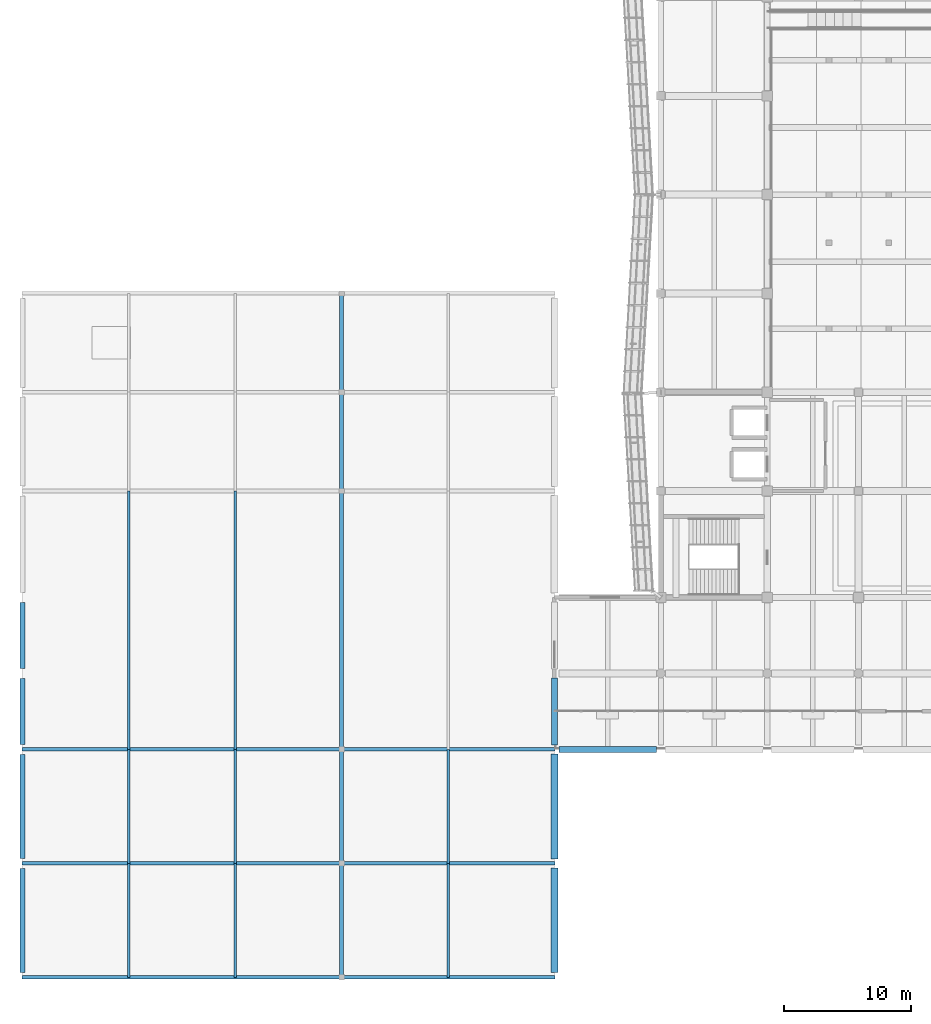
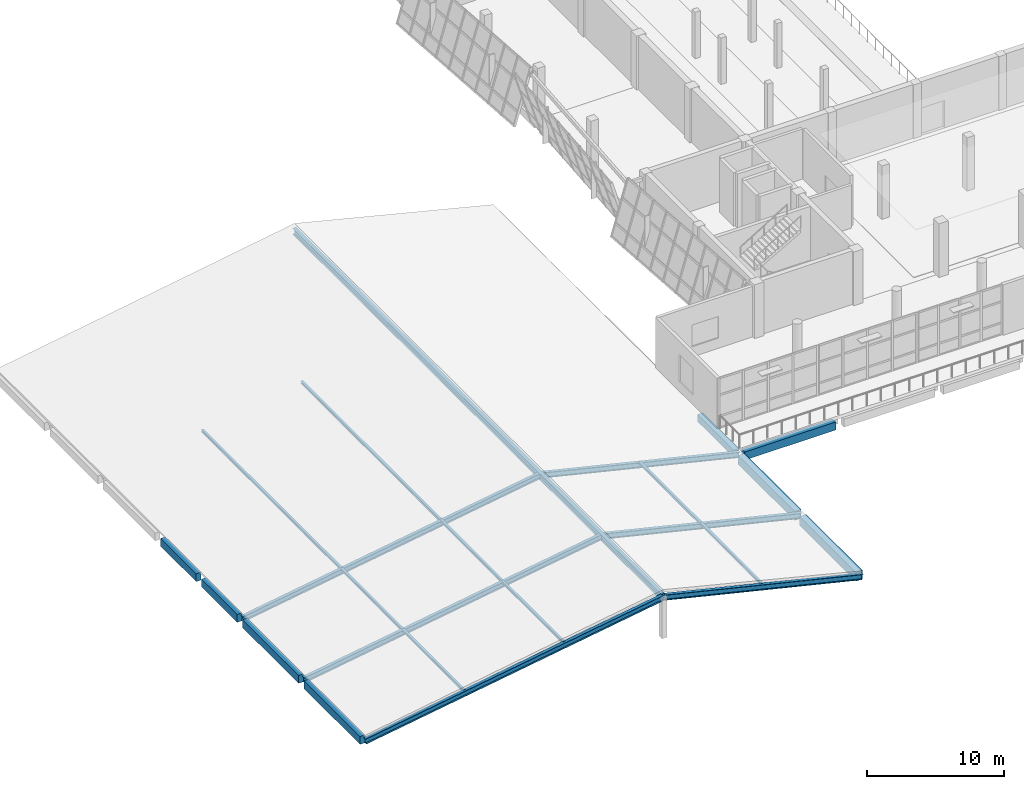
# One storey, part 3 of 79: 15 beams, 8 members.
"""IFC4 building model written with IfcOpenShell, lengths in metres."""

import ifcopenshell
import ifcopenshell.guid

model = None  # the IFC model being written
_history = None  # IfcOwnerHistory: only IFC2X3 demands one
_inside = {}  # id of a spatial element -> (the spatial element, [elements in it])
_under = {}  # id of a project, library or spatial element -> (it, [spatial elements below it])
_declared = {}  # id of a project -> (the project, [libraries it declares])
_typed = {}  # id of a type object -> (the type object, [elements of that type])
_made_of = {}  # id of a material, layer set ... -> (it, [elements and type objects made of it])


def new_model(schema):
    """Start an empty IFC model of exactly this schema.

    Asked for "IFC4X3", IfcOpenShell would pick the latest addendum, in which some entities
    have other attributes; the version numbers below select the first issue.
    IFC2X3 requires an IfcOwnerHistory on every rooted entity: one is made here for all.
    """
    global model, _history
    if schema == "IFC4X3":
        model = ifcopenshell.file(schema_version=(4, 3, 0, 0))
    else:
        model = ifcopenshell.file(schema=schema)
    _inside.clear()
    _under.clear()
    _declared.clear()
    _typed.clear()
    _made_of.clear()
    _history = None
    if model.schema == "IFC2X3":
        org = make("IfcOrganization", Name="unknown")
        user = make(
            "IfcPersonAndOrganization",
            ThePerson=make("IfcPerson", FamilyName="unknown"),
            TheOrganization=org,
        )
        app = make(
            "IfcApplication",
            ApplicationDeveloper=org,
            Version="unknown",
            ApplicationFullName="unknown",
            ApplicationIdentifier="unknown",
        )
        _history = make(
            "IfcOwnerHistory",
            OwningUser=user,
            OwningApplication=app,
            ChangeAction="ADDED",
            CreationDate=0,
        )
    return model


def make(cls, **values):
    """One entity of the class cls with the attributes given. An attribute that is None is left unset."""
    return model.create_entity(
        cls, **{name: value for name, value in values.items() if value is not None}
    )


def rooted(cls, **values):
    """An entity with a GlobalId (a new one), such as an element, a storey or a relation."""
    return make(cls, GlobalId=ifcopenshell.guid.new(), OwnerHistory=_history, **values)


def si_unit(unit_type, name, prefix=None):
    """IfcSIUnit, for example si_unit("LENGTHUNIT", "METRE", prefix="MILLI")."""
    return make("IfcSIUnit", UnitType=unit_type, Prefix=prefix, Name=name)


def assignment(units):
    """IfcUnitAssignment: the units of a project."""
    return None if units is None else make("IfcUnitAssignment", Units=units)


def point(xyz):
    """IfcCartesianPoint."""
    return None if xyz is None else make("IfcCartesianPoint", Coordinates=xyz)


def direction(xyz):
    """IfcDirection."""
    return None if xyz is None else make("IfcDirection", DirectionRatios=xyz)


def frame(location, z_axis=None, x_axis=None):
    """IfcAxis2Placement3D, a coordinate frame: its origin and axes. An axis left out is left unset."""
    return make(
        "IfcAxis2Placement3D",
        Location=point(location),
        Axis=direction(z_axis),
        RefDirection=direction(x_axis),
    )


def frame_2d(location, x_axis=None):
    """IfcAxis2Placement2D, a coordinate frame in the plane: its origin and x axis."""
    return make(
        "IfcAxis2Placement2D", Location=point(location), RefDirection=direction(x_axis)
    )


def origin():
    """The frame at (0, 0, 0) with its axes left unset."""
    return frame((0.0, 0.0, 0.0))


def origin_2d():
    """The frame at (0, 0) in the plane with its x axis left unset."""
    return frame_2d((0.0, 0.0))


def place(relative_to, where):
    """IfcLocalPlacement: puts the frame where relative to a parent placement (None: the world)."""
    return make(
        "IfcLocalPlacement", PlacementRelTo=relative_to, RelativePlacement=where
    )


def context(
    kind, dimensions, precision=None, world=None, true_north=None, identifier=None
):
    """IfcGeometricRepresentationContext, for example the 3D "Model" context."""
    return make(
        "IfcGeometricRepresentationContext",
        ContextIdentifier=identifier,
        ContextType=kind,
        CoordinateSpaceDimension=dimensions,
        Precision=precision,
        WorldCoordinateSystem=world,
        TrueNorth=true_north,
    )


def subcontext(parent, identifier, kind, view, scale=None):
    """IfcGeometricRepresentationSubContext, for example "Body" below "Model"."""
    return make(
        "IfcGeometricRepresentationSubContext",
        ContextIdentifier=identifier,
        ContextType=kind,
        ParentContext=parent,
        TargetScale=scale,
        TargetView=view,
    )


def project(units=None, contexts=None):
    """IfcProject with its units and contexts."""
    return rooted(
        "IfcProject",
        Name="project",
        RepresentationContexts=contexts,
        UnitsInContext=assignment(units),
    )


def spatial(cls, under=None, at=None, **own):
    """A site, building, storey or space (cls), placed at a placement, below another one or the project."""
    s = rooted(cls, ObjectPlacement=at, **own)
    if under is not None:
        _under.setdefault(under.id(), (under, []))[1].append(s)
    return s


def profile(cls, at=None, kind="AREA", **sizes):
    """A parametric profile (cls). Its sizes go by their IFC names, for example OverallWidth=200.0."""
    return make(cls, ProfileType=kind, Position=at, **sizes)


def rectangle(**sizes):
    """IfcRectangleProfileDef."""
    return profile("IfcRectangleProfileDef", **sizes)


def i_section(**sizes):
    """IfcIShapeProfileDef."""
    return profile("IfcIShapeProfileDef", **sizes)


def extrude(swept, where, along, depth):
    """IfcExtrudedAreaSolid: the profile swept, set in the frame where, extruded along a direction by depth."""
    return make(
        "IfcExtrudedAreaSolid",
        SweptArea=swept,
        Position=where,
        ExtrudedDirection=direction(along),
        Depth=depth,
    )


def shape(context_of_items, identifier, shape_type, items):
    """IfcShapeRepresentation: the items that make up one representation, for example the "Body"."""
    return make(
        "IfcShapeRepresentation",
        ContextOfItems=context_of_items,
        RepresentationIdentifier=identifier,
        RepresentationType=shape_type,
        Items=items,
    )


def material(Name=None, Category=None):
    """IfcMaterial."""
    return make("IfcMaterial", Name=Name, Category=Category)


def material_profile(
    of_material, cross_section, Name=None, Category=None, Priority=None
):
    """IfcMaterialProfile: a cross section and its material."""
    return make(
        "IfcMaterialProfile",
        Name=Name,
        Material=of_material,
        Profile=cross_section,
        Priority=Priority,
        Category=Category,
    )


def profile_set(profiles, Name=None, composite=None):
    """IfcMaterialProfileSet."""
    return make(
        "IfcMaterialProfileSet",
        Name=Name,
        MaterialProfiles=profiles,
        CompositeProfile=composite,
    )


def made_of(thing, what):
    """Note that an element or type object is made of a material, layer set ...; save() writes the relation."""
    if what is not None:
        _made_of.setdefault(what.id(), (what, []))[1].append(thing)
    return thing


def type_object(cls, material=None, **own):
    """A type object (cls), such as IfcWallType, which elements share."""
    return made_of(rooted(cls, **own), material)


def element(
    cls,
    number,
    at=None,
    inside=None,
    cuts=None,
    type_object=None,
    material=None,
    context=None,
    identifier="Body",
    shape_type=None,
    held_by="IfcProductDefinitionShape",
    body=None,
    shapes=None,
    **own,
):
    """One element of the class cls, such as IfcWall. Its Tag is "e" and its number.

    at: its placement. inside: the storey or other place that contains it. cuts: it is an
    opening in that element (IfcRelVoidsElement). A single representation is given by context,
    identifier, shape_type and body (its items); several are given by shapes. held_by: the class
    of the entity that holds the representations. save() writes the other relations.
    """
    e = rooted(cls, Tag="e%d" % number, ObjectPlacement=at, **own)
    if body is not None:
        shapes = [shape(context, identifier, shape_type, body)]
    if shapes is not None:
        e.Representation = make(held_by, Representations=shapes)
    if inside is not None:
        _inside.setdefault(inside.id(), (inside, []))[1].append(e)
    if cuts is not None:
        rooted(
            "IfcRelVoidsElement", RelatingBuildingElement=cuts, RelatedOpeningElement=e
        )
    if type_object is not None:
        _typed.setdefault(type_object.id(), (type_object, []))[1].append(e)
    return made_of(e, material)


def aggregate(whole, parts):
    """IfcRelAggregates: a whole, such as a stair, and the parts it consists of."""
    return rooted("IfcRelAggregates", RelatingObject=whole, RelatedObjects=parts)


def save(model, path):
    """Write the relations noted so far, then the file.

    IfcRelAggregates (storeys below a building ...), IfcRelContainedInSpatialStructure (elements
    in a storey), IfcRelDefinesByType, IfcRelAssociatesMaterial and IfcRelDeclares: one each for
    every whole, place, type object, material and project.
    """
    for whole, parts in _under.values():
        aggregate(whole, parts)
    for where, things in _inside.values():
        rooted(
            "IfcRelContainedInSpatialStructure",
            RelatedElements=things,
            RelatingStructure=where,
        )
    for kind, things in _typed.values():
        rooted("IfcRelDefinesByType", RelatedObjects=things, RelatingType=kind)
    for what, things in _made_of.values():
        rooted("IfcRelAssociatesMaterial", RelatedObjects=things, RelatingMaterial=what)
    for by, libraries in _declared.values():
        rooted("IfcRelDeclares", RelatingContext=by, RelatedDefinitions=libraries)
    model.write(path)


model = new_model("IFC4")

# Units and contexts
model_context = context("Model", 3, precision=1e-05, world=origin(), true_north=direction((0.0, 1.0)))
body_context = subcontext(model_context, "Body", "Model", "MODEL_VIEW")
ifc_project = project(units=[si_unit("LENGTHUNIT", "METRE"), si_unit("AREAUNIT", "SQUARE_METRE"), si_unit("VOLUMEUNIT", "CUBIC_METRE"), si_unit("PLANEANGLEUNIT", "RADIAN"), si_unit("MASSUNIT", "GRAM", prefix="KILO")], contexts=[model_context])

# Site, building, storey
site_placement = place(None, origin())
site = spatial("IfcSite", under=ifc_project, at=site_placement, CompositionType="ELEMENT")
building_placement = place(site_placement, origin())
building = spatial("IfcBuilding", under=site, at=building_placement, Name="Pellamere Symphony Hall", CompositionType="ELEMENT")
storey_placement = place(building_placement, frame((0.0, 0.0, 10.199951171875)))
storey = spatial("IfcBuildingStorey", under=building, at=storey_placement, Name="L02", CompositionType="ELEMENT", Elevation=10.199951171875)

# Beams
ifc_material_1 = material(Name="Concrete 40 MPa", Category="concrete")
ifc_material_profile_1 = material_profile(ifc_material_1, rectangle(XDim=0.550048828125, YDim=0.800048828125, at=origin_2d()), Name="RC 550x800")
ifc_profile_set_1 = profile_set([ifc_material_profile_1], Name="Concrete 40 MPa")
beam_type_1 = type_object("IfcBeamType", Name="RC CB-05 550x800", PredefinedType="BEAM", material=ifc_profile_set_1)
beam_1_placement = place(storey_placement, frame((42.0, 0.389892578125, -0.679931640625), z_axis=(0.0, 1.0, 0.0), x_axis=(-1.0, 0.0, 0.0)))
element("IfcBeam", 1, at=beam_1_placement, inside=storey, type_object=beam_type_1, Name="Girder CB-05-Y1242 (L02)", PredefinedType="BEAM", context=body_context, shape_type="SweptSolid", body=[
    extrude(rectangle(XDim=0.550048828125, YDim=0.800048828125, at=origin_2d()), origin(), (0.0, 0.0, 1.0), 8.260009765625),
])
beam_2_placement = place(storey_placement, frame((42.0, 9.35009765625, -0.679931640625), z_axis=(0.0, 1.0, 0.0), x_axis=(-1.0, 0.0, 0.0)))
element("IfcBeam", 2, at=beam_2_placement, inside=storey, type_object=beam_type_1, Name="Girder CB-05-Y1243 (L02)", PredefinedType="BEAM", context=body_context, shape_type="SweptSolid", body=[
    extrude(rectangle(XDim=0.550048828125, YDim=0.800048828125, at=origin_2d()), origin(), (0.0, 0.0, 1.0), 8.2998046875),
])
ifc_material_profile_2 = material_profile(ifc_material_1, rectangle(XDim=0.449951171875, YDim=0.64990234375, at=origin_2d()), Name="RC 450x650")
ifc_profile_set_2 = profile_set([ifc_material_profile_2], Name="Concrete 40 MPa")
beam_type_2 = type_object("IfcBeamType", Name="RC CB-08 450x650", PredefinedType="BEAM", material=ifc_profile_set_2)
beam_3_placement = place(storey_placement, frame((42.0, 18.35009765625, -0.60498046875), z_axis=(0.0, 1.0, 0.0), x_axis=(-1.0, 0.0, 0.0)))
element("IfcBeam", 3, at=beam_3_placement, inside=storey, type_object=beam_type_2, Name="Girder CB-08-Y1244 (L02)", PredefinedType="BEAM", context=body_context, shape_type="SweptSolid", body=[
    extrude(rectangle(XDim=0.449951171875, YDim=0.64990234375, at=origin_2d()), origin(), (0.0, 0.0, 1.0), 5.2998046875),
])
ifc_material_profile_3 = material_profile(ifc_material_1, rectangle(XDim=0.39990234375, YDim=0.699951171875, at=origin_2d()), Name="RC 400x700")
ifc_profile_set_3 = profile_set([ifc_material_profile_3], Name="Concrete 40 MPa")
beam_type_3 = type_object("IfcBeamType", Name="RC CB-13 400x700", PredefinedType="SPANDREL", material=ifc_profile_set_3)
for number, where, z_axis, x_axis, name in (
    (4, (0.0, 0.389892578125, -0.6298828125), (0.0, 1.0, 0.0), (-1.0, 0.0, 0.0), "Girder CB-13-Y1213 (L02)"),
    (5, (0.0, 9.389892578125, -0.6298828125), (0.0, 1.0, 0.0), (-1.0, 0.0, 0.0), "Girder CB-13-Y1214 (L02)"),
):
    element("IfcBeam", number, at=place(storey_placement, frame(where, z_axis=z_axis, x_axis=x_axis)), inside=storey, type_object=beam_type_3, Name=name, PredefinedType="SPANDREL", context=body_context, shape_type="SweptSolid", body=[
        extrude(rectangle(XDim=0.39990234375, YDim=0.699951171875, at=origin_2d()), origin(), (0.0, 0.0, 1.0), 8.22021484375),
    ])
for number, where, z_axis, x_axis, name in (
    (6, (0.0, 18.389892578125, -0.6298828125), (0.0, 1.0, 0.0), (-1.0, 0.0, 0.0), "Girder CB-13-Y1215 (L02)"),
    (7, (0.0, 24.389892578125, -0.6298828125), (0.0, 1.0, 0.0), (-1.0, 0.0, 0.0), "Girder CB-13-Y1216 (L02)"),
):
    element("IfcBeam", number, at=place(storey_placement, frame(where, z_axis=z_axis, x_axis=x_axis)), inside=storey, type_object=beam_type_3, Name=name, PredefinedType="SPANDREL", context=body_context, shape_type="SweptSolid", body=[
        extrude(rectangle(XDim=0.39990234375, YDim=0.699951171875, at=origin_2d()), origin(), (0.0, 0.0, 1.0), 5.22021484375),
    ])
ifc_material_profile_4 = material_profile(ifc_material_1, rectangle(XDim=0.47998046875, YDim=0.719970703125, at=origin_2d()), Name="RC 480x720")
ifc_profile_set_4 = profile_set([ifc_material_profile_4], Name="Concrete 40 MPa")
beam_type_4 = type_object("IfcBeamType", Name="RC CB-14 480x720", PredefinedType="SPANDREL", material=ifc_profile_set_4)
beam_4_placement = place(storey_placement, frame((42.35009765625, 18.0, -0.639892578125), z_axis=(1.0, 0.0, 0.0), x_axis=(0.0, 1.0, 0.0)))
element("IfcBeam", 8, at=beam_4_placement, inside=storey, type_object=beam_type_4, Name="Girder CB-14-X1040 (L02)", PredefinedType="SPANDREL", context=body_context, shape_type="SweptSolid", body=[
    extrude(rectangle(XDim=0.47998046875, YDim=0.719970703125, at=origin_2d()), origin(), (0.0, 0.0, 1.0), 7.699951171875),
])
ifc_material_2 = material(Name="Steel CSA G40.21 350W", Category="steel")
ifc_material_profile_5 = material_profile(ifc_material_2, i_section(OverallWidth=0.31201171875, OverallDepth=0.54296875, WebThickness=0.0126953125, FlangeThickness=0.020263671875, at=origin_2d()), Name="W530X150")
ifc_profile_set_5 = profile_set([ifc_material_profile_5], Name="Steel CSA G40.21 350W")
beam_type_5 = type_object("IfcBeamType", Name="Steel Beam SB-13 W530X150", PredefinedType="BEAM", material=ifc_profile_set_5)
beam_5_placement = place(storey_placement, frame((25.199951171875, 0.0, 3.550048828125), z_axis=(0.0, 1.0, 0.0), x_axis=(-1.0, 0.0, 0.0)))
element("IfcBeam", 9, at=beam_5_placement, inside=storey, type_object=beam_type_5, Name="Chamber Roof Ridge Girder", PredefinedType="BEAM", context=body_context, shape_type="SweptSolid", body=[
    extrude(i_section(OverallWidth=0.31201171875, OverallDepth=0.54296875, WebThickness=0.0126953125, FlangeThickness=0.020263671875, at=origin_2d()), origin(), (0.0, 0.0, 1.0), 54.0),
])
ifc_material_profile_6 = material_profile(ifc_material_2, i_section(OverallWidth=0.282958984375, OverallDepth=0.471923828125, WebThickness=0.013671875, FlangeThickness=0.022216796875, at=origin_2d()), Name="W460X144")
ifc_profile_set_6 = profile_set([ifc_material_profile_6], Name="Steel CSA G40.21 350W")
beam_type_6 = type_object("IfcBeamType", Name="Steel Beam SB-15 W460X144", PredefinedType="BEAM", material=ifc_profile_set_6)
beam_6_placement = place(storey_placement, frame((0.0, 0.0, -0.47998046875), z_axis=(0.987452628334, 0.0, 0.157915505245), x_axis=(0.0, 1.0, 0.0)))
element("IfcBeam", 10, at=beam_6_placement, inside=storey, type_object=beam_type_6, Name="Chamber Roof Steel Rafter 1W", PredefinedType="BEAM", context=body_context, shape_type="SweptSolid", body=[
    extrude(i_section(OverallWidth=0.282958984375, OverallDepth=0.471923828125, WebThickness=0.013671875, FlangeThickness=0.022216796875, at=origin_2d()), origin(), (0.0, 0.0, 1.0), 25.520263671875),
])
beam_7_placement = place(storey_placement, frame((25.199951171875, 0.0, 3.550048828125), z_axis=(0.972413335044, 0.0, -0.233264454704), x_axis=(0.0, 1.0, 0.0)))
element("IfcBeam", 11, at=beam_7_placement, inside=storey, type_object=beam_type_6, Name="Chamber Roof Steel Rafter 1E", PredefinedType="BEAM", context=body_context, shape_type="SweptSolid", body=[
    extrude(i_section(OverallWidth=0.282958984375, OverallDepth=0.471923828125, WebThickness=0.013671875, FlangeThickness=0.022216796875, at=origin_2d()), origin(), (0.0, 0.0, 1.0), 17.276611328125),
])
beam_8_placement = place(storey_placement, frame((0.0, 9.0, -0.47998046875), z_axis=(0.987452628334, 0.0, 0.157915505245), x_axis=(0.0, 1.0, 0.0)))
element("IfcBeam", 12, at=beam_8_placement, inside=storey, type_object=beam_type_6, Name="Chamber Roof Steel Rafter 2W", PredefinedType="BEAM", context=body_context, shape_type="SweptSolid", body=[
    extrude(i_section(OverallWidth=0.282958984375, OverallDepth=0.471923828125, WebThickness=0.013671875, FlangeThickness=0.022216796875, at=origin_2d()), origin(), (0.0, 0.0, 1.0), 25.520263671875),
])
beam_9_placement = place(storey_placement, frame((25.199951171875, 9.0, 3.550048828125), z_axis=(0.972413335044, 0.0, -0.233264454704), x_axis=(0.0, 1.0, 0.0)))
element("IfcBeam", 13, at=beam_9_placement, inside=storey, type_object=beam_type_6, Name="Chamber Roof Steel Rafter 2E", PredefinedType="BEAM", context=body_context, shape_type="SweptSolid", body=[
    extrude(i_section(OverallWidth=0.282958984375, OverallDepth=0.471923828125, WebThickness=0.013671875, FlangeThickness=0.022216796875, at=origin_2d()), origin(), (0.0, 0.0, 1.0), 17.276611328125),
])
beam_10_placement = place(storey_placement, frame((0.0, 18.0, -0.47998046875), z_axis=(0.987452628334, 0.0, 0.157915505245), x_axis=(0.0, 1.0, 0.0)))
element("IfcBeam", 14, at=beam_10_placement, inside=storey, type_object=beam_type_6, Name="Chamber Roof Steel Rafter 3W", PredefinedType="BEAM", context=body_context, shape_type="SweptSolid", body=[
    extrude(i_section(OverallWidth=0.282958984375, OverallDepth=0.471923828125, WebThickness=0.013671875, FlangeThickness=0.022216796875, at=origin_2d()), origin(), (0.0, 0.0, 1.0), 25.520263671875),
])
beam_11_placement = place(storey_placement, frame((25.199951171875, 18.0, 3.550048828125), z_axis=(0.972413335044, 0.0, -0.233264454704), x_axis=(0.0, 1.0, 0.0)))
element("IfcBeam", 15, at=beam_11_placement, inside=storey, type_object=beam_type_6, Name="Chamber Roof Steel Rafter 3E", PredefinedType="BEAM", context=body_context, shape_type="SweptSolid", body=[
    extrude(i_section(OverallWidth=0.282958984375, OverallDepth=0.471923828125, WebThickness=0.013671875, FlangeThickness=0.022216796875, at=origin_2d()), origin(), (0.0, 0.0, 1.0), 17.276611328125),
])

# Members
ifc_material_profile_7 = material_profile(ifc_material_2, i_section(OverallWidth=0.2041015625, OverallDepth=0.2060546875, WebThickness=0.0078125, FlangeThickness=0.0126953125, at=origin_2d()), Name="W200X52")
ifc_profile_set_7 = profile_set([ifc_material_profile_7], Name="Steel CSA G40.21 350W")
member_type = type_object("IfcMemberType", Name="Steel Member SM-15 W200X52", PredefinedType="PURLIN", material=ifc_profile_set_7)
for number, where, z_axis, x_axis, name in (
    (16, (8.39990234375, 0.0, 1.0400390625), (0.0, 1.0, 0.0), (-1.0, 0.0, 0.0), "Chamber Roof Steel Purlin 1.8"),
    (17, (16.800048828125, 0.0, 2.43994140625), (0.0, 1.0, 0.0), (-1.0, 0.0, 0.0), "Chamber Roof Steel Purlin 1.16"),
    (18, (33.60009765625, 0.0, 1.739990234375), (0.0, 1.0, 0.0), (-1.0, 0.0, 0.0), "Chamber Roof Steel Purlin 1.33"),
    (19, (8.39990234375, 9.0, 1.0400390625), (0.0, 1.0, 0.0), (-1.0, 0.0, 0.0), "Chamber Roof Steel Purlin 2.8"),
    (20, (16.800048828125, 9.0, 2.43994140625), (0.0, 1.0, 0.0), (-1.0, 0.0, 0.0), "Chamber Roof Steel Purlin 2.16"),
    (21, (33.60009765625, 9.0, 1.739990234375), (0.0, 1.0, 0.0), (-1.0, 0.0, 0.0), "Chamber Roof Steel Purlin 2.33"),
):
    element("IfcMember", number, at=place(storey_placement, frame(where, z_axis=z_axis, x_axis=x_axis)), inside=storey, type_object=member_type, Name=name, PredefinedType="PURLIN", context=body_context, shape_type="SweptSolid", body=[
        extrude(i_section(OverallWidth=0.2041015625, OverallDepth=0.2060546875, WebThickness=0.0078125, FlangeThickness=0.0126953125, at=origin_2d()), origin(), (0.0, 0.0, 1.0), 9.0),
    ])
for number, where, z_axis, x_axis, name in (
    (22, (8.39990234375, 18.0, 1.0400390625), (0.0, 1.0, 0.0), (-1.0, 0.0, 0.0), "Chamber Roof Steel Purlin 3.8"),
    (23, (16.800048828125, 18.0, 2.43994140625), (0.0, 1.0, 0.0), (-1.0, 0.0, 0.0), "Chamber Roof Steel Purlin 3.16"),
):
    element("IfcMember", number, at=place(storey_placement, frame(where, z_axis=z_axis, x_axis=x_axis)), inside=storey, type_object=member_type, Name=name, PredefinedType="PURLIN", context=body_context, shape_type="SweptSolid", body=[
        extrude(i_section(OverallWidth=0.2041015625, OverallDepth=0.2060546875, WebThickness=0.0078125, FlangeThickness=0.0126953125, at=origin_2d()), origin(), (0.0, 0.0, 1.0), 20.39990234375),
    ])

save(model, "model.ifc")
